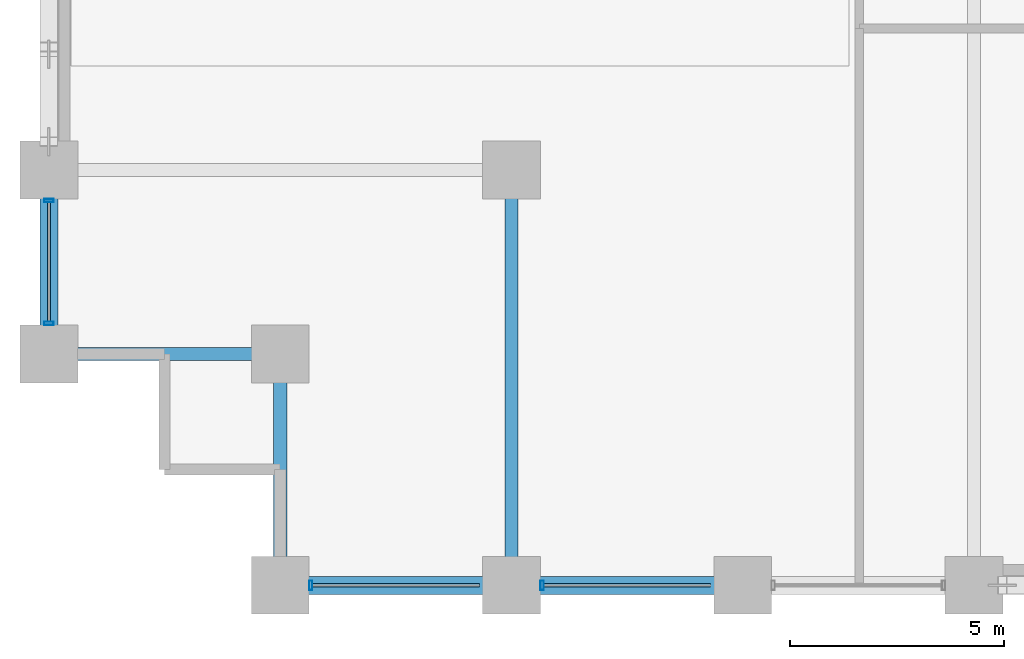
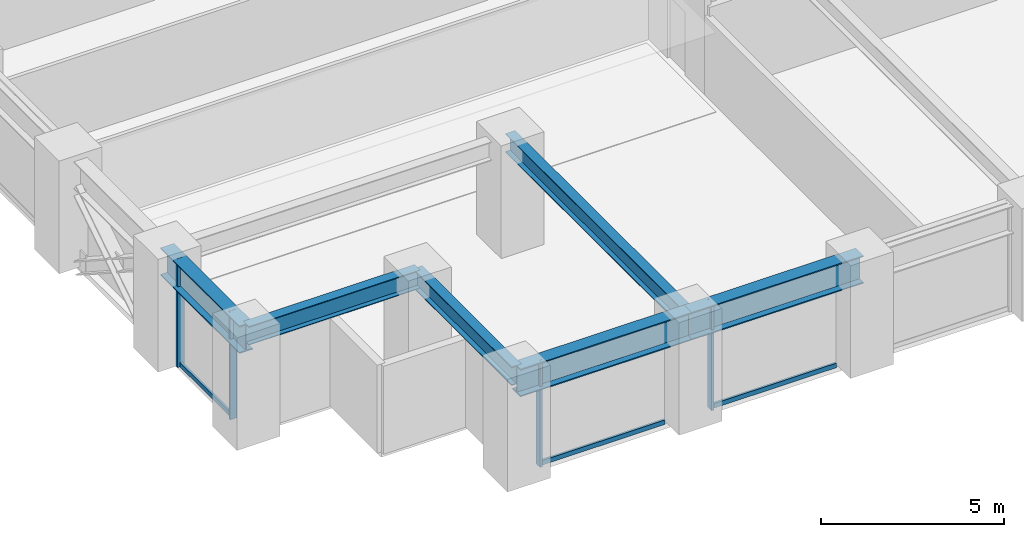
# One storey, part 2 of 25: 7 members, 6 beams, 2 elements without a shape of their own.
"""IFC4 building model written with IfcOpenShell, lengths in metres."""

from ifc_helpers import new_model, si_unit, direction, frame, origin, origin_2d, place, context, subcontext, project, spatial, hollow_rectangle, i_section, extrude, material, layer, layer_set, material_profile, profile_set, type_object, element, aggregate, save


model = new_model("IFC4")

# Units and contexts
model_context = context("Model", 3, precision=1e-05, world=origin(), true_north=direction((0.0, 1.0)))
body_context = subcontext(model_context, "Body", "Model", "MODEL_VIEW")
ifc_project = project(units=[si_unit("LENGTHUNIT", "METRE"), si_unit("AREAUNIT", "SQUARE_METRE"), si_unit("VOLUMEUNIT", "CUBIC_METRE"), si_unit("PLANEANGLEUNIT", "RADIAN"), si_unit("MASSUNIT", "GRAM", prefix="KILO")], contexts=[model_context])

# Site, building, storey
site_placement = place(None, origin())
site = spatial("IfcSite", under=ifc_project, at=site_placement, CompositionType="ELEMENT")
building_placement = place(site_placement, origin())
building = spatial("IfcBuilding", under=site, at=building_placement, Name="Surkhivell Harbour Commons", CompositionType="ELEMENT")
storey_placement = place(building_placement, frame((0.0, 0.0, 41.25)))
storey = spatial("IfcBuildingStorey", under=building, at=storey_placement, Name="L10", CompositionType="ELEMENT", Elevation=41.25)

# Beams
ifc_material_1 = material(Name="Steel S355", Category="steel")
ifc_material_profile_1 = material_profile(ifc_material_1, i_section(OverallWidth=0.306884765625, OverallDepth=0.6201171875, WebThickness=0.01416015625, FlangeThickness=0.023681640625, at=origin_2d()), Name="UB610x305x179")
ifc_profile_set_1 = profile_set([ifc_material_profile_1], Name="Steel S355")
beam_type_1 = type_object("IfcBeamType", Name="BM-GRD-610A", PredefinedType="BEAM", material=ifc_profile_set_1)
for number, where, z_axis, x_axis, name in (
    (1, (-32.39990234375, -20.5, 3.260009765625), (1.0, 0.0, 0.0), (0.0, 1.0, 0.0), "L10 Floor Girder (-32.4,-20.5)"),
    (2, (-27.0, -25.89990234375, 3.260009765625), (0.0, 1.0, 0.0), (-1.0, 0.0, 0.0), "L10 Floor Girder (-27.0,-25.9)"),
):
    element("IfcBeam", number, at=place(storey_placement, frame(where, z_axis=z_axis, x_axis=x_axis)), inside=storey, type_object=beam_type_1, Name=name, PredefinedType="BEAM", context=body_context, shape_type="SweptSolid", body=[
        extrude(i_section(OverallWidth=0.306884765625, OverallDepth=0.6201171875, WebThickness=0.01416015625, FlangeThickness=0.023681640625, at=origin_2d()), origin(), (0.0, 0.0, 1.0), 5.39990234375),
    ])
beam_1_placement = place(storey_placement, frame((-21.60009765625, -25.89990234375, 3.260009765625), z_axis=(0.0, 1.0, 0.0), x_axis=(-1.0, 0.0, 0.0)))
element("IfcBeam", 3, at=beam_1_placement, inside=storey, type_object=beam_type_1, Name="L10 Floor Girder (-21.6,-25.9)", PredefinedType="BEAM", context=body_context, shape_type="SweptSolid", body=[
    extrude(i_section(OverallWidth=0.306884765625, OverallDepth=0.6201171875, WebThickness=0.01416015625, FlangeThickness=0.023681640625, at=origin_2d()), origin(), (0.0, 0.0, 1.0), 9.699951171875),
])
ifc_material_2 = material(Name="Steel S460", Category="steel")
ifc_material_profile_2 = material_profile(ifc_material_2, i_section(OverallWidth=0.419921875, OverallDepth=0.9208984375, WebThickness=0.021484375, FlangeThickness=0.03662109375, at=origin_2d()), Name="UB914x419x388")
ifc_profile_set_2 = profile_set([ifc_material_profile_2], Name="Steel S460")
beam_type_2 = type_object("IfcBeamType", Name="BM-SPN-914A", PredefinedType="SPANDREL", material=ifc_profile_set_2)
beam_2_placement = place(storey_placement, frame((-32.39990234375, -20.5, 3.109619140625), z_axis=(0.0, 1.0, 0.0), x_axis=(-1.0, 0.0, 0.0)))
element("IfcBeam", 4, at=beam_2_placement, inside=storey, type_object=beam_type_2, Name="L10 Tube Spandrel (-32.4,-20.5)", PredefinedType="SPANDREL", context=body_context, shape_type="SweptSolid", body=[
    extrude(i_section(OverallWidth=0.419921875, OverallDepth=0.9208984375, WebThickness=0.021484375, FlangeThickness=0.03662109375, at=origin_2d()), origin(), (0.0, 0.0, 1.0), 4.300048828125),
])
beam_3_placement = place(storey_placement, frame((-27.0, -25.89990234375, 3.109619140625), z_axis=(1.0, 0.0, 0.0), x_axis=(0.0, 1.0, 0.0)))
element("IfcBeam", 5, at=beam_3_placement, inside=storey, type_object=beam_type_2, Name="L10 Tube Spandrel (-27.0,-25.9)", PredefinedType="SPANDREL", context=body_context, shape_type="SweptSolid", body=[
    extrude(i_section(OverallWidth=0.419921875, OverallDepth=0.9208984375, WebThickness=0.021484375, FlangeThickness=0.03662109375, at=origin_2d()), origin(), (0.0, 0.0, 1.0), 5.39990234375),
])
beam_4_placement = place(storey_placement, frame((-21.60009765625, -25.89990234375, 3.109619140625), z_axis=(1.0, 0.0, 0.0), x_axis=(0.0, 1.0, 0.0)))
element("IfcBeam", 6, at=beam_4_placement, inside=storey, type_object=beam_type_2, Name="L10 Tube Spandrel (-21.6,-25.9)", PredefinedType="SPANDREL", context=body_context, shape_type="SweptSolid", body=[
    extrude(i_section(OverallWidth=0.419921875, OverallDepth=0.9208984375, WebThickness=0.021484375, FlangeThickness=0.03662109375, at=origin_2d()), origin(), (0.0, 0.0, 1.0), 5.400146484375),
])

# Curtain wall, members
ifc_material_3 = material(Name="Anodised pale-metal aluminium and insulated glazing", Category="aluminium")
ifc_layer = layer(ifc_material_3, 0.219970703125)
ifc_layer_set = layer_set([ifc_layer], Name="Anodised pale-metal aluminium and insulated glazing")
curtain_wall_type = type_object("IfcCurtainWallType", Name="CW-SYS-Z1", PredefinedType="NOTDEFINED", material=ifc_layer_set)
curtain_wall_1_placement = place(storey_placement, origin())
curtain_wall_1 = element("IfcCurtainWall", 7, at=curtain_wall_1_placement, inside=storey, type_object=curtain_wall_type, Name="L10 Curtain Wall CW-L10-E00S1", PredefinedType="NOTDEFINED")
ifc_material_4 = material(Name="Anodised pale-metal aluminium alloy 6063-T6", Category="aluminium")
ifc_material_profile_3 = material_profile(ifc_material_4, hollow_rectangle(XDim=0.074951171875, YDim=0.219970703125, WallThickness=0.00390625, at=origin_2d()), Name="ALU-MULL-75x220")
ifc_profile_set_3 = profile_set([ifc_material_profile_3], Name="Anodised pale-metal aluminium alloy 6063-T6")
member_type_1 = type_object("IfcMemberType", Name="CWM-220", PredefinedType="MULLION", material=ifc_profile_set_3)
member_1_placement = place(storey_placement, frame((-26.285400390625, -25.89990234375, 0.0), z_axis=(0.0, 0.0, 1.0), x_axis=(1.0, 0.0, 0.0)))
member_1 = element("IfcMember", 8, at=member_1_placement, type_object=member_type_1, Name="CW-Z1 mullion 1", PredefinedType="MULLION", context=body_context, shape_type="SweptSolid", body=[
    extrude(hollow_rectangle(XDim=0.074951171875, YDim=0.219970703125, WallThickness=0.00390625, at=origin_2d()), origin(), (0.0, 0.0, 1.0), 3.570068359375),
])
member_2_placement = place(storey_placement, frame((-20.885498046875, -25.89990234375, 0.0), z_axis=(0.0, 0.0, 1.0), x_axis=(1.0, 0.0, 0.0)))
member_2 = element("IfcMember", 9, at=member_2_placement, type_object=member_type_1, Name="CW-Z1 mullion 2", PredefinedType="MULLION", context=body_context, shape_type="SweptSolid", body=[
    extrude(hollow_rectangle(XDim=0.074951171875, YDim=0.219970703125, WallThickness=0.00390625, at=origin_2d()), origin(), (0.0, 0.0, 1.0), 3.570068359375),
])

curtain_wall_2_placement = place(storey_placement, origin())
curtain_wall_2 = element("IfcCurtainWall", 10, at=curtain_wall_2_placement, inside=storey, type_object=curtain_wall_type, Name="L10 Curtain Wall CW-L10-E12S2", PredefinedType="NOTDEFINED")
member_3_placement = place(storey_placement, frame((-32.39990234375, -16.91455078125, 0.0), z_axis=(0.0, 0.0, 1.0), x_axis=(0.0, -1.0, 0.0)))
member_3 = element("IfcMember", 11, at=member_3_placement, type_object=member_type_1, Name="CW-Z1 mullion 1", PredefinedType="MULLION", context=body_context, shape_type="SweptSolid", body=[
    extrude(hollow_rectangle(XDim=0.074951171875, YDim=0.219970703125, WallThickness=0.00390625, at=origin_2d()), origin(), (0.0, 0.0, 1.0), 3.570068359375),
])
member_4_placement = place(storey_placement, frame((-32.39990234375, -19.785400390625, 0.0), z_axis=(0.0, 0.0, 1.0), x_axis=(0.0, -1.0, 0.0)))
member_4 = element("IfcMember", 12, at=member_4_placement, type_object=member_type_1, Name="CW-Z1 mullion 2", PredefinedType="MULLION", context=body_context, shape_type="SweptSolid", body=[
    extrude(hollow_rectangle(XDim=0.074951171875, YDim=0.219970703125, WallThickness=0.00390625, at=origin_2d()), origin(), (0.0, 0.0, 1.0), 3.570068359375),
])

# Member
ifc_material_profile_4 = material_profile(ifc_material_4, hollow_rectangle(XDim=0.074951171875, YDim=0.14990234375, WallThickness=0.00341796875, at=origin_2d()), Name="ALU-TRAN-75x150")
ifc_profile_set_4 = profile_set([ifc_material_profile_4], Name="Anodised pale-metal aluminium alloy 6063-T6")
member_type_2 = type_object("IfcMemberType", Name="CWT-150", PredefinedType="USERDEFINED", material=ifc_profile_set_4)
member_5_placement = place(storey_placement, frame((-26.248046875, -25.89990234375, 0.074951171875), z_axis=(1.0, 0.0, 0.0), x_axis=(0.0, 1.0, 0.0)))
member_5 = element("IfcMember", 13, at=member_5_placement, type_object=member_type_2, Name="CW-Z1 transom 1.1", ObjectType="TRANSOM", PredefinedType="USERDEFINED", context=body_context, shape_type="SweptSolid", body=[
    extrude(hollow_rectangle(XDim=0.074951171875, YDim=0.14990234375, WallThickness=0.00341796875, at=origin_2d()), origin(), (0.0, 0.0, 1.0), 3.89599609375),
])

member_6_placement = place(storey_placement, frame((-20.847900390625, -25.89990234375, 0.074951171875), z_axis=(1.0, 0.0, 0.0), x_axis=(0.0, 1.0, 0.0)))
member_6 = element("IfcMember", 14, at=member_6_placement, type_object=member_type_2, Name="CW-Z1 transom 2.1", ObjectType="TRANSOM", PredefinedType="USERDEFINED", context=body_context, shape_type="SweptSolid", body=[
    extrude(hollow_rectangle(XDim=0.074951171875, YDim=0.14990234375, WallThickness=0.00341796875, at=origin_2d()), origin(), (0.0, 0.0, 1.0), 3.89599609375),
])

aggregate(curtain_wall_1, [member_1, member_5, member_2, member_6])

member_7_placement = place(storey_placement, frame((-32.39990234375, -16.951904296875, 0.074951171875), z_axis=(0.0, -1.0, 0.0), x_axis=(1.0, 0.0, 0.0)))
member_7 = element("IfcMember", 15, at=member_7_placement, type_object=member_type_2, Name="CW-Z1 transom 1.1", ObjectType="TRANSOM", PredefinedType="USERDEFINED", context=body_context, shape_type="SweptSolid", body=[
    extrude(hollow_rectangle(XDim=0.074951171875, YDim=0.14990234375, WallThickness=0.00341796875, at=origin_2d()), origin(), (0.0, 0.0, 1.0), 2.796142578125),
])

aggregate(curtain_wall_2, [member_3, member_4, member_7])

save(model, "model.ifc")
